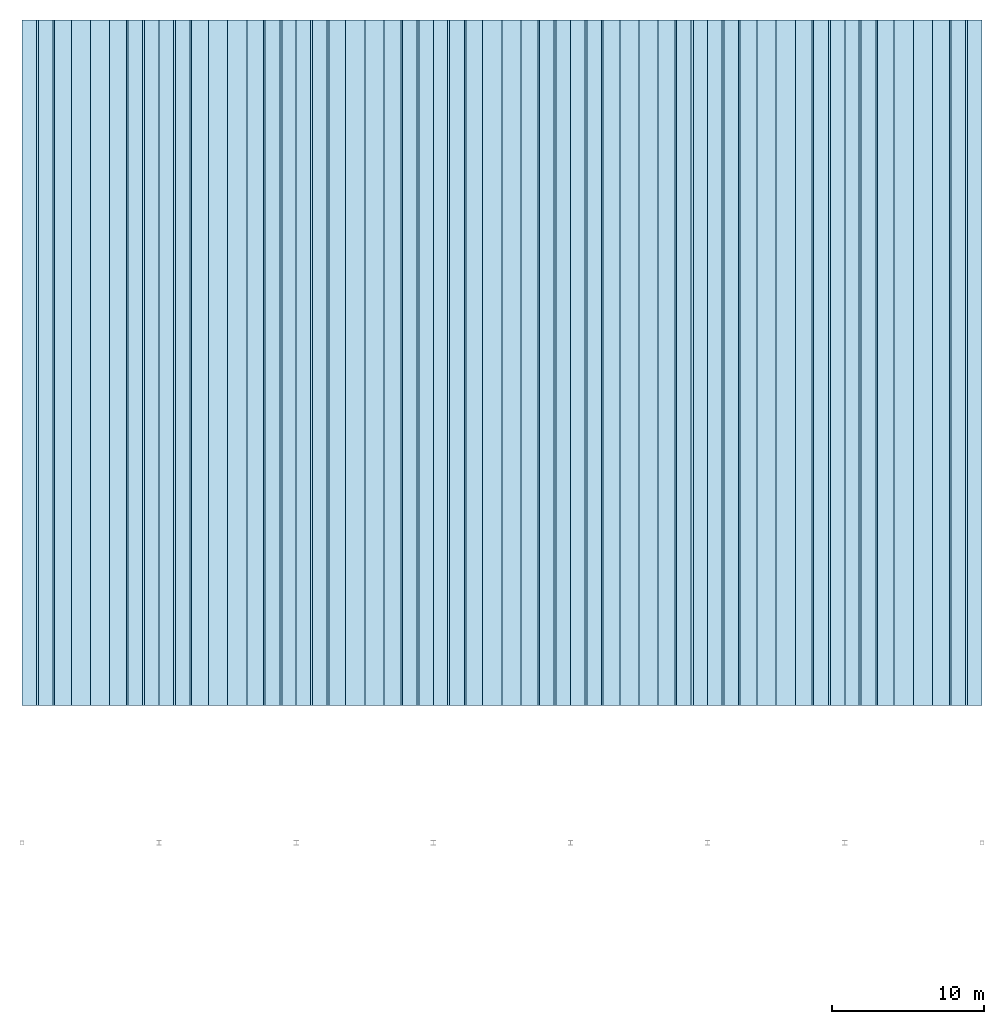
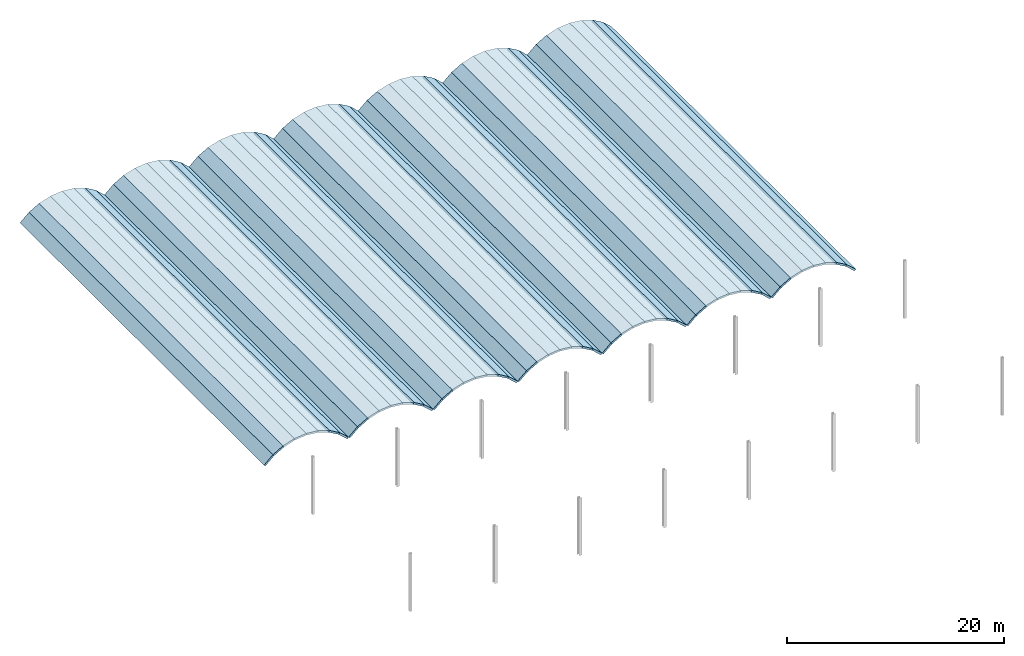
# One storey, part 5 of 5: 56 slabs.
"""IFC4 building model written with IfcOpenShell, lengths in metres."""

from ifc_helpers import new_model, si_unit, direction, frame, origin, place, context, subcontext, project, spatial, polyline, outline, extrude, material, layer, layer_set, type_object, element, save


model = new_model("IFC4")

# Units and contexts
model_context = context("Model", 3, precision=1e-05, world=origin(), true_north=direction((0.0, 1.0)))
body_context = subcontext(model_context, "Body", "Model", "MODEL_VIEW")
ifc_project = project(units=[si_unit("LENGTHUNIT", "METRE"), si_unit("AREAUNIT", "SQUARE_METRE"), si_unit("VOLUMEUNIT", "CUBIC_METRE"), si_unit("PLANEANGLEUNIT", "RADIAN"), si_unit("MASSUNIT", "GRAM", prefix="KILO")], contexts=[model_context])

# Site, building, storey
site_placement = place(None, origin())
site = spatial("IfcSite", under=ifc_project, at=site_placement, CompositionType="ELEMENT")
building_placement = place(site_placement, origin())
building = spatial("IfcBuilding", under=site, at=building_placement, Name="Shorebreak Coast Museum", CompositionType="ELEMENT")
storey_placement = place(building_placement, frame((0.0, 0.0, 44.0)))
storey = spatial("IfcBuildingStorey", under=building, at=storey_placement, Name="Roof", CompositionType="ELEMENT", Elevation=44.0)

# Slabs
ifc_material = material(Name="Concrete N50 (50 MPa)", Category="concrete")
ifc_layer = layer(ifc_material, 0.199951171875)
ifc_layer_set = layer_set([ifc_layer], Name="Concrete N50 (50 MPa)")
slab_type = type_object("IfcSlabType", Name="Roof slab barrel vault 200 concrete N50", PredefinedType="ROOF", material=ifc_layer_set)
slab_1_placement = place(storey_placement, frame((54.0, 90.0, 0.0), z_axis=(-0.668282294267, 0.0, 0.743907773295), x_axis=(0.743907773295, 0.0, 0.668282294267)))
element("IfcSlab", 1, at=slab_1_placement, inside=storey, type_object=slab_type, Name="Barrel vault roof slab V1-F1", PredefinedType="ROOF", context=body_context, shape_type="SweptSolid", body=[
    extrude(outline(polyline([(0.0, 0.0), (1.26548785184759, 0.0), (1.26548785184759, 45.0), (0.0, 45.0), (0.0, 0.0)])), origin(), (0.0, 0.0, -1.0), 0.199951171875),
])
slab_2_placement = place(storey_placement, frame((54.94140625, 90.0, 0.845703125), z_axis=(-0.499293714377, 0.0, 0.866432794153), x_axis=(0.866432794153, 0.0, 0.499293714377)))
element("IfcSlab", 2, at=slab_2_placement, inside=storey, type_object=slab_type, Name="Barrel vault roof slab V1-F2", PredefinedType="ROOF", context=body_context, shape_type="SweptSolid", body=[
    extrude(outline(polyline([(0.0, 0.0), (1.2654594265987291, 0.0), (1.2654594265987291, 45.0), (0.0, 45.0), (0.0, 0.0)])), origin(), (0.0, 0.0, -1.0), 0.199951171875),
])
slab_3_placement = place(storey_placement, frame((56.037841796875, 90.0, 1.4775390625), z_axis=(-0.308518853245, 0.0, 0.951218227954), x_axis=(0.951218227954, 0.0, 0.308518853245)))
element("IfcSlab", 3, at=slab_3_placement, inside=storey, type_object=slab_type, Name="Barrel vault roof slab V1-F3", PredefinedType="ROOF", context=body_context, shape_type="SweptSolid", body=[
    extrude(outline(polyline([(0.0, 0.0), (1.2653387475959768, 0.0), (1.2653387475959768, 44.99999999999999), (0.0, 44.99999999999999), (0.0, 0.0)])), origin(), (0.0, 0.0, -1.0), 0.199951171875),
])
for number, where, z_axis, x_axis, name in (
    (4, (57.241455078125, 90.0, 1.867919921875), (-0.104373453513, 0.0, 0.994538175337), (0.994538175337, 0.0, 0.104373453513), "Barrel vault roof slab V1-F4"),
    (5, (58.5, 90.0, 2.0), (0.104373453513, 0.0, 0.994538175337), (0.994538175337, 0.0, -0.104373453513), "Barrel vault roof slab V1-F5"),
):
    element("IfcSlab", number, at=place(storey_placement, frame(where, z_axis=z_axis, x_axis=x_axis)), inside=storey, type_object=slab_type, Name=name, PredefinedType="ROOF", context=body_context, shape_type="SweptSolid", body=[
        extrude(outline(polyline([(0.0, 0.0), (1.2654566240748262, 0.0), (1.2654566240748262, 45.0), (0.0, 45.0), (0.0, 0.0)])), origin(), (0.0, 0.0, -1.0), 0.199951171875),
    ])
slab_4_placement = place(storey_placement, frame((59.758544921875, 90.0, 1.867919921875), z_axis=(0.308518853245, 0.0, 0.951218227954), x_axis=(0.951218227954, 0.0, -0.308518853245)))
element("IfcSlab", 6, at=slab_4_placement, inside=storey, type_object=slab_type, Name="Barrel vault roof slab V1-F6", PredefinedType="ROOF", context=body_context, shape_type="SweptSolid", body=[
    extrude(outline(polyline([(0.0, 0.0), (1.2653387475959768, 0.0), (1.2653387475959768, 44.99999999999999), (0.0, 44.99999999999999), (0.0, 0.0)])), origin(), (0.0, 0.0, -1.0), 0.199951171875),
])
slab_5_placement = place(storey_placement, frame((60.962158203125, 90.0, 1.4775390625), z_axis=(0.499293714377, 0.0, 0.866432794153), x_axis=(0.866432794153, 0.0, -0.499293714377)))
element("IfcSlab", 7, at=slab_5_placement, inside=storey, type_object=slab_type, Name="Barrel vault roof slab V1-F7", PredefinedType="ROOF", context=body_context, shape_type="SweptSolid", body=[
    extrude(outline(polyline([(0.0, 0.0), (1.2654594265987291, 0.0), (1.2654594265987291, 45.0), (0.0, 45.0), (0.0, 0.0)])), origin(), (0.0, 0.0, -1.0), 0.199951171875),
])
for number, where, z_axis, x_axis, name in (
    (8, (62.05859375, 90.0, 0.845703125), (0.668282294267, 0.0, 0.743907773295), (0.743907773295, 0.0, -0.668282294267), "Barrel vault roof slab V1-F8"),
    (9, (63.0, 90.0, 0.0), (-0.668282294267, 0.0, 0.743907773295), (0.743907773295, 0.0, 0.668282294267), "Barrel vault roof slab V2-F1"),
):
    element("IfcSlab", number, at=place(storey_placement, frame(where, z_axis=z_axis, x_axis=x_axis)), inside=storey, type_object=slab_type, Name=name, PredefinedType="ROOF", context=body_context, shape_type="SweptSolid", body=[
        extrude(outline(polyline([(0.0, 0.0), (1.26548785184759, 0.0), (1.26548785184759, 45.0), (0.0, 45.0), (0.0, 0.0)])), origin(), (0.0, 0.0, -1.0), 0.199951171875),
    ])
slab_6_placement = place(storey_placement, frame((63.94140625, 90.0, 0.845703125), z_axis=(-0.499293714377, 0.0, 0.866432794153), x_axis=(0.866432794153, 0.0, 0.499293714377)))
element("IfcSlab", 10, at=slab_6_placement, inside=storey, type_object=slab_type, Name="Barrel vault roof slab V2-F2", PredefinedType="ROOF", context=body_context, shape_type="SweptSolid", body=[
    extrude(outline(polyline([(0.0, 0.0), (1.2654594265987291, 0.0), (1.2654594265987291, 45.0), (0.0, 45.0), (0.0, 0.0)])), origin(), (0.0, 0.0, -1.0), 0.199951171875),
])
slab_7_placement = place(storey_placement, frame((65.037841796875, 90.0, 1.4775390625), z_axis=(-0.308518853245, 0.0, 0.951218227954), x_axis=(0.951218227954, 0.0, 0.308518853245)))
element("IfcSlab", 11, at=slab_7_placement, inside=storey, type_object=slab_type, Name="Barrel vault roof slab V2-F3", PredefinedType="ROOF", context=body_context, shape_type="SweptSolid", body=[
    extrude(outline(polyline([(0.0, 0.0), (1.2653387475959768, 0.0), (1.2653387475959768, 44.99999999999999), (0.0, 44.99999999999999), (0.0, 0.0)])), origin(), (0.0, 0.0, -1.0), 0.199951171875),
])
for number, where, z_axis, x_axis, name in (
    (12, (66.241455078125, 90.0, 1.867919921875), (-0.104373453513, 0.0, 0.994538175337), (0.994538175337, 0.0, 0.104373453513), "Barrel vault roof slab V2-F4"),
    (13, (67.5, 90.0, 2.0), (0.104373453513, 0.0, 0.994538175337), (0.994538175337, 0.0, -0.104373453513), "Barrel vault roof slab V2-F5"),
):
    element("IfcSlab", number, at=place(storey_placement, frame(where, z_axis=z_axis, x_axis=x_axis)), inside=storey, type_object=slab_type, Name=name, PredefinedType="ROOF", context=body_context, shape_type="SweptSolid", body=[
        extrude(outline(polyline([(0.0, 0.0), (1.2654566240748262, 0.0), (1.2654566240748262, 45.0), (0.0, 45.0), (0.0, 0.0)])), origin(), (0.0, 0.0, -1.0), 0.199951171875),
    ])
slab_8_placement = place(storey_placement, frame((68.758544921875, 90.0, 1.867919921875), z_axis=(0.308518853245, 0.0, 0.951218227954), x_axis=(0.951218227954, 0.0, -0.308518853245)))
element("IfcSlab", 14, at=slab_8_placement, inside=storey, type_object=slab_type, Name="Barrel vault roof slab V2-F6", PredefinedType="ROOF", context=body_context, shape_type="SweptSolid", body=[
    extrude(outline(polyline([(0.0, 0.0), (1.2653387475959768, 0.0), (1.2653387475959768, 44.99999999999999), (0.0, 44.99999999999999), (0.0, 0.0)])), origin(), (0.0, 0.0, -1.0), 0.199951171875),
])
slab_9_placement = place(storey_placement, frame((69.962158203125, 90.0, 1.4775390625), z_axis=(0.499293714377, 0.0, 0.866432794153), x_axis=(0.866432794153, 0.0, -0.499293714377)))
element("IfcSlab", 15, at=slab_9_placement, inside=storey, type_object=slab_type, Name="Barrel vault roof slab V2-F7", PredefinedType="ROOF", context=body_context, shape_type="SweptSolid", body=[
    extrude(outline(polyline([(0.0, 0.0), (1.2654594265987291, 0.0), (1.2654594265987291, 45.0), (0.0, 45.0), (0.0, 0.0)])), origin(), (0.0, 0.0, -1.0), 0.199951171875),
])
for number, where, z_axis, x_axis, name in (
    (16, (71.05859375, 90.0, 0.845703125), (0.668282294267, 0.0, 0.743907773295), (0.743907773295, 0.0, -0.668282294267), "Barrel vault roof slab V2-F8"),
    (17, (72.0, 90.0, 0.0), (-0.668282294267, 0.0, 0.743907773295), (0.743907773295, 0.0, 0.668282294267), "Barrel vault roof slab V3-F1"),
):
    element("IfcSlab", number, at=place(storey_placement, frame(where, z_axis=z_axis, x_axis=x_axis)), inside=storey, type_object=slab_type, Name=name, PredefinedType="ROOF", context=body_context, shape_type="SweptSolid", body=[
        extrude(outline(polyline([(0.0, 0.0), (1.26548785184759, 0.0), (1.26548785184759, 45.0), (0.0, 45.0), (0.0, 0.0)])), origin(), (0.0, 0.0, -1.0), 0.199951171875),
    ])
slab_10_placement = place(storey_placement, frame((72.94140625, 90.0, 0.845703125), z_axis=(-0.499293714377, 0.0, 0.866432794153), x_axis=(0.866432794153, 0.0, 0.499293714377)))
element("IfcSlab", 18, at=slab_10_placement, inside=storey, type_object=slab_type, Name="Barrel vault roof slab V3-F2", PredefinedType="ROOF", context=body_context, shape_type="SweptSolid", body=[
    extrude(outline(polyline([(0.0, 0.0), (1.2654594265987291, 0.0), (1.2654594265987291, 45.0), (0.0, 45.0), (0.0, 0.0)])), origin(), (0.0, 0.0, -1.0), 0.199951171875),
])
slab_11_placement = place(storey_placement, frame((74.037841796875, 90.0, 1.4775390625), z_axis=(-0.308518853245, 0.0, 0.951218227954), x_axis=(0.951218227954, 0.0, 0.308518853245)))
element("IfcSlab", 19, at=slab_11_placement, inside=storey, type_object=slab_type, Name="Barrel vault roof slab V3-F3", PredefinedType="ROOF", context=body_context, shape_type="SweptSolid", body=[
    extrude(outline(polyline([(0.0, 0.0), (1.2653387475959768, 0.0), (1.2653387475959768, 44.99999999999999), (0.0, 44.99999999999999), (0.0, 0.0)])), origin(), (0.0, 0.0, -1.0), 0.199951171875),
])
for number, where, z_axis, x_axis, name in (
    (20, (75.241455078125, 90.0, 1.867919921875), (-0.104373453513, 0.0, 0.994538175337), (0.994538175337, 0.0, 0.104373453513), "Barrel vault roof slab V3-F4"),
    (21, (76.5, 90.0, 2.0), (0.104373453513, 0.0, 0.994538175337), (0.994538175337, 0.0, -0.104373453513), "Barrel vault roof slab V3-F5"),
):
    element("IfcSlab", number, at=place(storey_placement, frame(where, z_axis=z_axis, x_axis=x_axis)), inside=storey, type_object=slab_type, Name=name, PredefinedType="ROOF", context=body_context, shape_type="SweptSolid", body=[
        extrude(outline(polyline([(0.0, 0.0), (1.2654566240748262, 0.0), (1.2654566240748262, 45.0), (0.0, 45.0), (0.0, 0.0)])), origin(), (0.0, 0.0, -1.0), 0.199951171875),
    ])
slab_12_placement = place(storey_placement, frame((77.758544921875, 90.0, 1.867919921875), z_axis=(0.308518853245, 0.0, 0.951218227954), x_axis=(0.951218227954, 0.0, -0.308518853245)))
element("IfcSlab", 22, at=slab_12_placement, inside=storey, type_object=slab_type, Name="Barrel vault roof slab V3-F6", PredefinedType="ROOF", context=body_context, shape_type="SweptSolid", body=[
    extrude(outline(polyline([(0.0, 0.0), (1.2653387475959768, 0.0), (1.2653387475959768, 44.99999999999999), (0.0, 44.99999999999999), (0.0, 0.0)])), origin(), (0.0, 0.0, -1.0), 0.199951171875),
])
slab_13_placement = place(storey_placement, frame((78.962158203125, 90.0, 1.4775390625), z_axis=(0.499293714377, 0.0, 0.866432794153), x_axis=(0.866432794153, 0.0, -0.499293714377)))
element("IfcSlab", 23, at=slab_13_placement, inside=storey, type_object=slab_type, Name="Barrel vault roof slab V3-F7", PredefinedType="ROOF", context=body_context, shape_type="SweptSolid", body=[
    extrude(outline(polyline([(0.0, 0.0), (1.2654594265987291, 0.0), (1.2654594265987291, 45.0), (0.0, 45.0), (0.0, 0.0)])), origin(), (0.0, 0.0, -1.0), 0.199951171875),
])
for number, where, z_axis, x_axis, name in (
    (24, (80.05859375, 90.0, 0.845703125), (0.668282294267, 0.0, 0.743907773295), (0.743907773295, 0.0, -0.668282294267), "Barrel vault roof slab V3-F8"),
    (25, (81.0, 90.0, 0.0), (-0.668282294267, 0.0, 0.743907773295), (0.743907773295, 0.0, 0.668282294267), "Barrel vault roof slab V4-F1"),
):
    element("IfcSlab", number, at=place(storey_placement, frame(where, z_axis=z_axis, x_axis=x_axis)), inside=storey, type_object=slab_type, Name=name, PredefinedType="ROOF", context=body_context, shape_type="SweptSolid", body=[
        extrude(outline(polyline([(0.0, 0.0), (1.26548785184759, 0.0), (1.26548785184759, 45.0), (0.0, 45.0), (0.0, 0.0)])), origin(), (0.0, 0.0, -1.0), 0.199951171875),
    ])
slab_14_placement = place(storey_placement, frame((81.94140625, 90.0, 0.845703125), z_axis=(-0.499293714377, 0.0, 0.866432794153), x_axis=(0.866432794153, 0.0, 0.499293714377)))
element("IfcSlab", 26, at=slab_14_placement, inside=storey, type_object=slab_type, Name="Barrel vault roof slab V4-F2", PredefinedType="ROOF", context=body_context, shape_type="SweptSolid", body=[
    extrude(outline(polyline([(0.0, 0.0), (1.2654594265987291, 0.0), (1.2654594265987291, 45.0), (0.0, 45.0), (0.0, 0.0)])), origin(), (0.0, 0.0, -1.0), 0.199951171875),
])
slab_15_placement = place(storey_placement, frame((83.037841796875, 90.0, 1.4775390625), z_axis=(-0.308518853245, 0.0, 0.951218227954), x_axis=(0.951218227954, 0.0, 0.308518853245)))
element("IfcSlab", 27, at=slab_15_placement, inside=storey, type_object=slab_type, Name="Barrel vault roof slab V4-F3", PredefinedType="ROOF", context=body_context, shape_type="SweptSolid", body=[
    extrude(outline(polyline([(0.0, 0.0), (1.2653387475959768, 0.0), (1.2653387475959768, 44.99999999999999), (0.0, 44.99999999999999), (0.0, 0.0)])), origin(), (0.0, 0.0, -1.0), 0.199951171875),
])
for number, where, z_axis, x_axis, name in (
    (28, (84.241455078125, 90.0, 1.867919921875), (-0.104373453513, 0.0, 0.994538175337), (0.994538175337, 0.0, 0.104373453513), "Barrel vault roof slab V4-F4"),
    (29, (85.5, 90.0, 2.0), (0.104373453513, 0.0, 0.994538175337), (0.994538175337, 0.0, -0.104373453513), "Barrel vault roof slab V4-F5"),
):
    element("IfcSlab", number, at=place(storey_placement, frame(where, z_axis=z_axis, x_axis=x_axis)), inside=storey, type_object=slab_type, Name=name, PredefinedType="ROOF", context=body_context, shape_type="SweptSolid", body=[
        extrude(outline(polyline([(0.0, 0.0), (1.2654566240748262, 0.0), (1.2654566240748262, 45.0), (0.0, 45.0), (0.0, 0.0)])), origin(), (0.0, 0.0, -1.0), 0.199951171875),
    ])
slab_16_placement = place(storey_placement, frame((86.758544921875, 90.0, 1.867919921875), z_axis=(0.308518853245, 0.0, 0.951218227954), x_axis=(0.951218227954, 0.0, -0.308518853245)))
element("IfcSlab", 30, at=slab_16_placement, inside=storey, type_object=slab_type, Name="Barrel vault roof slab V4-F6", PredefinedType="ROOF", context=body_context, shape_type="SweptSolid", body=[
    extrude(outline(polyline([(0.0, 0.0), (1.2653387475959768, 0.0), (1.2653387475959768, 44.99999999999999), (0.0, 44.99999999999999), (0.0, 0.0)])), origin(), (0.0, 0.0, -1.0), 0.199951171875),
])
slab_17_placement = place(storey_placement, frame((87.962158203125, 90.0, 1.4775390625), z_axis=(0.499293714377, 0.0, 0.866432794153), x_axis=(0.866432794153, 0.0, -0.499293714377)))
element("IfcSlab", 31, at=slab_17_placement, inside=storey, type_object=slab_type, Name="Barrel vault roof slab V4-F7", PredefinedType="ROOF", context=body_context, shape_type="SweptSolid", body=[
    extrude(outline(polyline([(0.0, 0.0), (1.2654594265987291, 0.0), (1.2654594265987291, 45.0), (0.0, 45.0), (0.0, 0.0)])), origin(), (0.0, 0.0, -1.0), 0.199951171875),
])
for number, where, z_axis, x_axis, name in (
    (32, (89.05859375, 90.0, 0.845703125), (0.668282294267, 0.0, 0.743907773295), (0.743907773295, 0.0, -0.668282294267), "Barrel vault roof slab V4-F8"),
    (33, (90.0, 90.0, 0.0), (-0.668282294267, 0.0, 0.743907773295), (0.743907773295, 0.0, 0.668282294267), "Barrel vault roof slab V5-F1"),
):
    element("IfcSlab", number, at=place(storey_placement, frame(where, z_axis=z_axis, x_axis=x_axis)), inside=storey, type_object=slab_type, Name=name, PredefinedType="ROOF", context=body_context, shape_type="SweptSolid", body=[
        extrude(outline(polyline([(0.0, 0.0), (1.26548785184759, 0.0), (1.26548785184759, 45.0), (0.0, 45.0), (0.0, 0.0)])), origin(), (0.0, 0.0, -1.0), 0.199951171875),
    ])
slab_18_placement = place(storey_placement, frame((90.94140625, 90.0, 0.845703125), z_axis=(-0.499293714377, 0.0, 0.866432794153), x_axis=(0.866432794153, 0.0, 0.499293714377)))
element("IfcSlab", 34, at=slab_18_placement, inside=storey, type_object=slab_type, Name="Barrel vault roof slab V5-F2", PredefinedType="ROOF", context=body_context, shape_type="SweptSolid", body=[
    extrude(outline(polyline([(0.0, 0.0), (1.2654594265987291, 0.0), (1.2654594265987291, 45.0), (0.0, 45.0), (0.0, 0.0)])), origin(), (0.0, 0.0, -1.0), 0.199951171875),
])
slab_19_placement = place(storey_placement, frame((92.037841796875, 90.0, 1.4775390625), z_axis=(-0.308518853245, 0.0, 0.951218227954), x_axis=(0.951218227954, 0.0, 0.308518853245)))
element("IfcSlab", 35, at=slab_19_placement, inside=storey, type_object=slab_type, Name="Barrel vault roof slab V5-F3", PredefinedType="ROOF", context=body_context, shape_type="SweptSolid", body=[
    extrude(outline(polyline([(0.0, 0.0), (1.2653387475959768, 0.0), (1.2653387475959768, 44.99999999999999), (0.0, 44.99999999999999), (0.0, 0.0)])), origin(), (0.0, 0.0, -1.0), 0.199951171875),
])
for number, where, z_axis, x_axis, name in (
    (36, (93.241455078125, 90.0, 1.867919921875), (-0.104373453513, 0.0, 0.994538175337), (0.994538175337, 0.0, 0.104373453513), "Barrel vault roof slab V5-F4"),
    (37, (94.5, 90.0, 2.0), (0.104373453513, 0.0, 0.994538175337), (0.994538175337, 0.0, -0.104373453513), "Barrel vault roof slab V5-F5"),
):
    element("IfcSlab", number, at=place(storey_placement, frame(where, z_axis=z_axis, x_axis=x_axis)), inside=storey, type_object=slab_type, Name=name, PredefinedType="ROOF", context=body_context, shape_type="SweptSolid", body=[
        extrude(outline(polyline([(0.0, 0.0), (1.2654566240748262, 0.0), (1.2654566240748262, 45.0), (0.0, 45.0), (0.0, 0.0)])), origin(), (0.0, 0.0, -1.0), 0.199951171875),
    ])
slab_20_placement = place(storey_placement, frame((95.758544921875, 90.0, 1.867919921875), z_axis=(0.308518853245, 0.0, 0.951218227954), x_axis=(0.951218227954, 0.0, -0.308518853245)))
element("IfcSlab", 38, at=slab_20_placement, inside=storey, type_object=slab_type, Name="Barrel vault roof slab V5-F6", PredefinedType="ROOF", context=body_context, shape_type="SweptSolid", body=[
    extrude(outline(polyline([(0.0, 0.0), (1.2653387475959768, 0.0), (1.2653387475959768, 44.99999999999999), (0.0, 44.99999999999999), (0.0, 0.0)])), origin(), (0.0, 0.0, -1.0), 0.199951171875),
])
slab_21_placement = place(storey_placement, frame((96.962158203125, 90.0, 1.4775390625), z_axis=(0.499293714377, 0.0, 0.866432794153), x_axis=(0.866432794153, 0.0, -0.499293714377)))
element("IfcSlab", 39, at=slab_21_placement, inside=storey, type_object=slab_type, Name="Barrel vault roof slab V5-F7", PredefinedType="ROOF", context=body_context, shape_type="SweptSolid", body=[
    extrude(outline(polyline([(0.0, 0.0), (1.2654594265987291, 0.0), (1.2654594265987291, 45.0), (0.0, 45.0), (0.0, 0.0)])), origin(), (0.0, 0.0, -1.0), 0.199951171875),
])
for number, where, z_axis, x_axis, name in (
    (40, (98.05859375, 90.0, 0.845703125), (0.668282294267, 0.0, 0.743907773295), (0.743907773295, 0.0, -0.668282294267), "Barrel vault roof slab V5-F8"),
    (41, (99.0, 90.0, 0.0), (-0.668282294267, 0.0, 0.743907773295), (0.743907773295, 0.0, 0.668282294267), "Barrel vault roof slab V6-F1"),
):
    element("IfcSlab", number, at=place(storey_placement, frame(where, z_axis=z_axis, x_axis=x_axis)), inside=storey, type_object=slab_type, Name=name, PredefinedType="ROOF", context=body_context, shape_type="SweptSolid", body=[
        extrude(outline(polyline([(0.0, 0.0), (1.26548785184759, 0.0), (1.26548785184759, 45.0), (0.0, 45.0), (0.0, 0.0)])), origin(), (0.0, 0.0, -1.0), 0.199951171875),
    ])
slab_22_placement = place(storey_placement, frame((99.94140625, 90.0, 0.845703125), z_axis=(-0.499293714377, 0.0, 0.866432794153), x_axis=(0.866432794153, 0.0, 0.499293714377)))
element("IfcSlab", 42, at=slab_22_placement, inside=storey, type_object=slab_type, Name="Barrel vault roof slab V6-F2", PredefinedType="ROOF", context=body_context, shape_type="SweptSolid", body=[
    extrude(outline(polyline([(0.0, 0.0), (1.2654594265987291, 0.0), (1.2654594265987291, 45.0), (0.0, 45.0), (0.0, 0.0)])), origin(), (0.0, 0.0, -1.0), 0.199951171875),
])
slab_23_placement = place(storey_placement, frame((101.037841796875, 90.0, 1.4775390625), z_axis=(-0.308518853245, 0.0, 0.951218227954), x_axis=(0.951218227954, 0.0, 0.308518853245)))
element("IfcSlab", 43, at=slab_23_placement, inside=storey, type_object=slab_type, Name="Barrel vault roof slab V6-F3", PredefinedType="ROOF", context=body_context, shape_type="SweptSolid", body=[
    extrude(outline(polyline([(0.0, 0.0), (1.2653387475959768, 0.0), (1.2653387475959768, 44.99999999999999), (0.0, 44.99999999999999), (0.0, 0.0)])), origin(), (0.0, 0.0, -1.0), 0.199951171875),
])
for number, where, z_axis, x_axis, name in (
    (44, (102.241455078125, 90.0, 1.867919921875), (-0.104373453513, 0.0, 0.994538175337), (0.994538175337, 0.0, 0.104373453513), "Barrel vault roof slab V6-F4"),
    (45, (103.5, 90.0, 2.0), (0.104373453513, 0.0, 0.994538175337), (0.994538175337, 0.0, -0.104373453513), "Barrel vault roof slab V6-F5"),
):
    element("IfcSlab", number, at=place(storey_placement, frame(where, z_axis=z_axis, x_axis=x_axis)), inside=storey, type_object=slab_type, Name=name, PredefinedType="ROOF", context=body_context, shape_type="SweptSolid", body=[
        extrude(outline(polyline([(0.0, 0.0), (1.2654566240748262, 0.0), (1.2654566240748262, 45.0), (0.0, 45.0), (0.0, 0.0)])), origin(), (0.0, 0.0, -1.0), 0.199951171875),
    ])
slab_24_placement = place(storey_placement, frame((104.758544921875, 90.0, 1.867919921875), z_axis=(0.308518853245, 0.0, 0.951218227954), x_axis=(0.951218227954, 0.0, -0.308518853245)))
element("IfcSlab", 46, at=slab_24_placement, inside=storey, type_object=slab_type, Name="Barrel vault roof slab V6-F6", PredefinedType="ROOF", context=body_context, shape_type="SweptSolid", body=[
    extrude(outline(polyline([(0.0, 0.0), (1.2653387475959768, 0.0), (1.2653387475959768, 44.99999999999999), (0.0, 44.99999999999999), (0.0, 0.0)])), origin(), (0.0, 0.0, -1.0), 0.199951171875),
])
slab_25_placement = place(storey_placement, frame((105.962158203125, 90.0, 1.4775390625), z_axis=(0.499293714377, 0.0, 0.866432794153), x_axis=(0.866432794153, 0.0, -0.499293714377)))
element("IfcSlab", 47, at=slab_25_placement, inside=storey, type_object=slab_type, Name="Barrel vault roof slab V6-F7", PredefinedType="ROOF", context=body_context, shape_type="SweptSolid", body=[
    extrude(outline(polyline([(0.0, 0.0), (1.2654594265987291, 0.0), (1.2654594265987291, 45.0), (0.0, 45.0), (0.0, 0.0)])), origin(), (0.0, 0.0, -1.0), 0.199951171875),
])
for number, where, z_axis, x_axis, name in (
    (48, (107.05859375, 90.0, 0.845703125), (0.668282294267, 0.0, 0.743907773295), (0.743907773295, 0.0, -0.668282294267), "Barrel vault roof slab V6-F8"),
    (49, (108.0, 90.0, 0.0), (-0.668282294267, 0.0, 0.743907773295), (0.743907773295, 0.0, 0.668282294267), "Barrel vault roof slab V7-F1"),
):
    element("IfcSlab", number, at=place(storey_placement, frame(where, z_axis=z_axis, x_axis=x_axis)), inside=storey, type_object=slab_type, Name=name, PredefinedType="ROOF", context=body_context, shape_type="SweptSolid", body=[
        extrude(outline(polyline([(0.0, 0.0), (1.26548785184759, 0.0), (1.26548785184759, 45.0), (0.0, 45.0), (0.0, 0.0)])), origin(), (0.0, 0.0, -1.0), 0.199951171875),
    ])
slab_26_placement = place(storey_placement, frame((108.94140625, 90.0, 0.845703125), z_axis=(-0.499293714377, 0.0, 0.866432794153), x_axis=(0.866432794153, 0.0, 0.499293714377)))
element("IfcSlab", 50, at=slab_26_placement, inside=storey, type_object=slab_type, Name="Barrel vault roof slab V7-F2", PredefinedType="ROOF", context=body_context, shape_type="SweptSolid", body=[
    extrude(outline(polyline([(0.0, 0.0), (1.2654594265987291, 0.0), (1.2654594265987291, 45.0), (0.0, 45.0), (0.0, 0.0)])), origin(), (0.0, 0.0, -1.0), 0.199951171875),
])
slab_27_placement = place(storey_placement, frame((110.037841796875, 90.0, 1.4775390625), z_axis=(-0.308518853245, 0.0, 0.951218227954), x_axis=(0.951218227954, 0.0, 0.308518853245)))
element("IfcSlab", 51, at=slab_27_placement, inside=storey, type_object=slab_type, Name="Barrel vault roof slab V7-F3", PredefinedType="ROOF", context=body_context, shape_type="SweptSolid", body=[
    extrude(outline(polyline([(0.0, 0.0), (1.2653387475959768, 0.0), (1.2653387475959768, 44.99999999999999), (0.0, 44.99999999999999), (0.0, 0.0)])), origin(), (0.0, 0.0, -1.0), 0.199951171875),
])
for number, where, z_axis, x_axis, name in (
    (52, (111.241455078125, 90.0, 1.867919921875), (-0.104373453513, 0.0, 0.994538175337), (0.994538175337, 0.0, 0.104373453513), "Barrel vault roof slab V7-F4"),
    (53, (112.5, 90.0, 2.0), (0.104373453513, 0.0, 0.994538175337), (0.994538175337, 0.0, -0.104373453513), "Barrel vault roof slab V7-F5"),
):
    element("IfcSlab", number, at=place(storey_placement, frame(where, z_axis=z_axis, x_axis=x_axis)), inside=storey, type_object=slab_type, Name=name, PredefinedType="ROOF", context=body_context, shape_type="SweptSolid", body=[
        extrude(outline(polyline([(0.0, 0.0), (1.2654566240748262, 0.0), (1.2654566240748262, 45.0), (0.0, 45.0), (0.0, 0.0)])), origin(), (0.0, 0.0, -1.0), 0.199951171875),
    ])
slab_28_placement = place(storey_placement, frame((113.758544921875, 90.0, 1.867919921875), z_axis=(0.308518853245, 0.0, 0.951218227954), x_axis=(0.951218227954, 0.0, -0.308518853245)))
element("IfcSlab", 54, at=slab_28_placement, inside=storey, type_object=slab_type, Name="Barrel vault roof slab V7-F6", PredefinedType="ROOF", context=body_context, shape_type="SweptSolid", body=[
    extrude(outline(polyline([(0.0, 0.0), (1.2653387475959768, 0.0), (1.2653387475959768, 44.99999999999999), (0.0, 44.99999999999999), (0.0, 0.0)])), origin(), (0.0, 0.0, -1.0), 0.199951171875),
])
slab_29_placement = place(storey_placement, frame((114.962158203125, 90.0, 1.4775390625), z_axis=(0.499293714377, 0.0, 0.866432794153), x_axis=(0.866432794153, 0.0, -0.499293714377)))
element("IfcSlab", 55, at=slab_29_placement, inside=storey, type_object=slab_type, Name="Barrel vault roof slab V7-F7", PredefinedType="ROOF", context=body_context, shape_type="SweptSolid", body=[
    extrude(outline(polyline([(0.0, 0.0), (1.2654594265987291, 0.0), (1.2654594265987291, 45.0), (0.0, 45.0), (0.0, 0.0)])), origin(), (0.0, 0.0, -1.0), 0.199951171875),
])
slab_30_placement = place(storey_placement, frame((116.05859375, 90.0, 0.845703125), z_axis=(0.668282294267, 0.0, 0.743907773295), x_axis=(0.743907773295, 0.0, -0.668282294267)))
element("IfcSlab", 56, at=slab_30_placement, inside=storey, type_object=slab_type, Name="Barrel vault roof slab V7-F8", PredefinedType="ROOF", context=body_context, shape_type="SweptSolid", body=[
    extrude(outline(polyline([(0.0, 0.0), (1.26548785184759, 0.0), (1.26548785184759, 45.0), (0.0, 45.0), (0.0, 0.0)])), origin(), (0.0, 0.0, -1.0), 0.199951171875),
])

save(model, "model.ifc")
